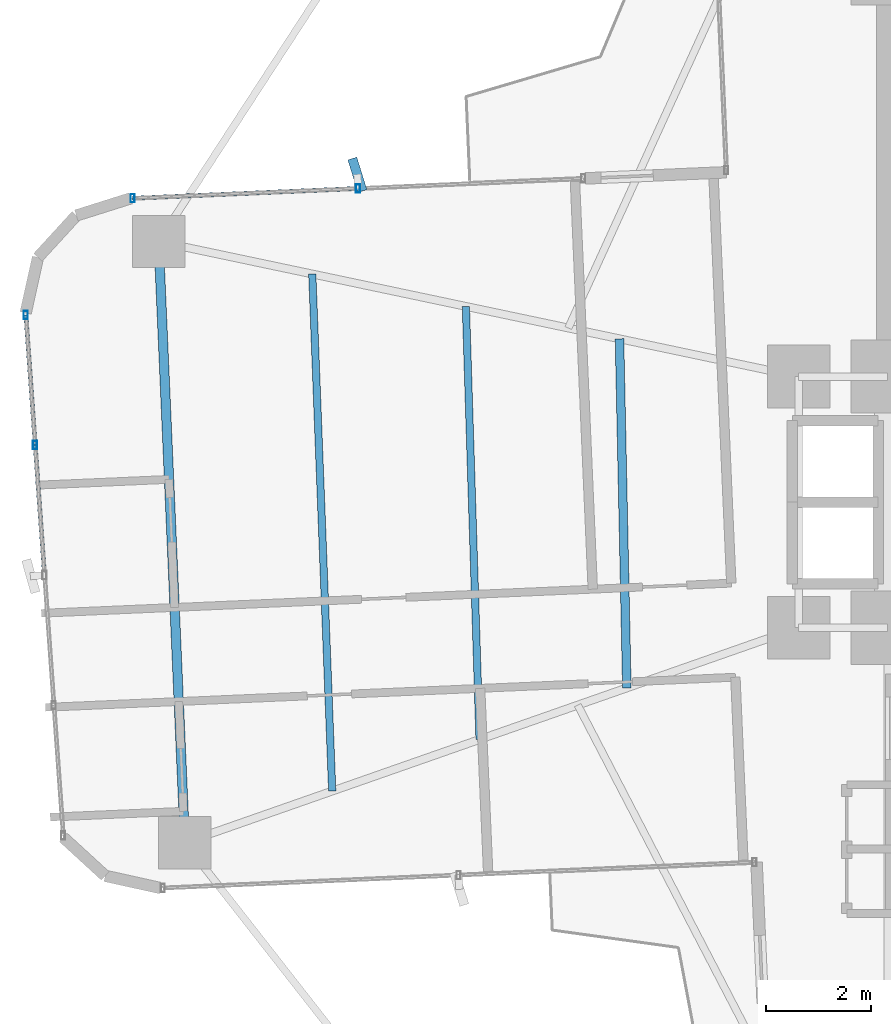
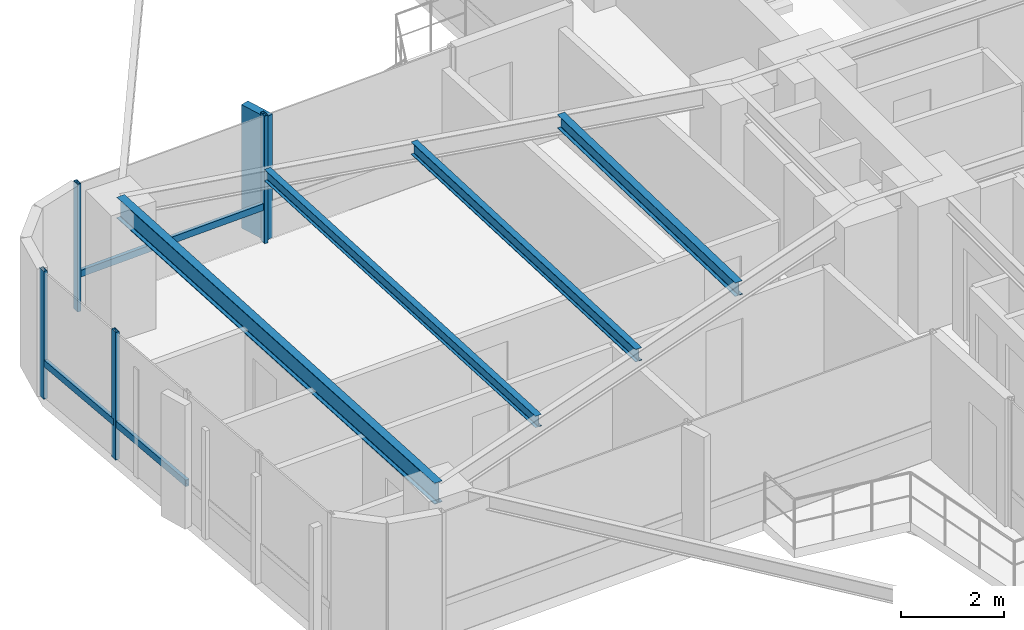
# One storey, part 9 of 26: 8 members, 4 beams, 2 elements without a shape of their own.
"""IFC4 building model written with IfcOpenShell, lengths in metres."""

from ifc_helpers import new_model, si_unit, direction, frame, origin, origin_2d, place, context, subcontext, project, spatial, rectangle, hollow_rectangle, i_section, extrude, source, transform, mapped, material, material_profile, profile_set, type_object, element, aggregate, save


model = new_model("IFC4")

# Units and contexts
model_context = context("Model", 3, precision=1e-05, world=origin(), true_north=direction((0.0, 1.0)))
body_context = subcontext(model_context, "Body", "Model", "MODEL_VIEW")
ifc_project = project(units=[si_unit("LENGTHUNIT", "METRE"), si_unit("AREAUNIT", "SQUARE_METRE"), si_unit("VOLUMEUNIT", "CUBIC_METRE"), si_unit("PLANEANGLEUNIT", "RADIAN"), si_unit("MASSUNIT", "GRAM", prefix="KILO")], contexts=[model_context])

# Site, building, storey
site_placement = place(None, origin())
site = spatial("IfcSite", under=ifc_project, at=site_placement, CompositionType="ELEMENT")
building_placement = place(site_placement, origin())
building = spatial("IfcBuilding", under=site, at=building_placement, Name="Sahyath Konkavel Grand Hotel", CompositionType="ELEMENT")
storey_placement = place(building_placement, frame((0.0, 0.0, 134.89990234375)))
storey = spatial("IfcBuildingStorey", under=building, at=storey_placement, Name="L37", CompositionType="ELEMENT", Elevation=134.89990234375)

# Beams
ifc_material_1 = material(Name="Steel E350", Category="steel")
ifc_material_profile_1 = material_profile(ifc_material_1, i_section(OverallWidth=0.179931640625, OverallDepth=0.5, WebThickness=0.01025390625, FlangeThickness=0.01708984375, FilletRadius=0.01708984375, at=origin_2d()), Name="ISMB 500")
ifc_profile_set_1 = profile_set([ifc_material_profile_1], Name="Steel E350")
beam_type_1 = type_object("IfcBeamType", Name="BM-ISMB500", PredefinedType="BEAM", material=ifc_profile_set_1)
shared_shape_1 = source(origin(), body_context, "Body", "SweptSolid", [
    extrude(i_section(OverallWidth=0.179931640625, OverallDepth=0.5, WebThickness=0.01025390625, FlangeThickness=0.01708984375, FilletRadius=0.01708984375, at=origin_2d()), origin(), (0.0, 0.0, 1.0), 11.5),
])
beam_1_placement = place(storey_placement, frame((-17.734130859375, 4.981201171875, 2.780029296875), z_axis=(0.043627008892, -0.99904788879, 0.0), x_axis=(0.99904788879, 0.043627008892, 0.0)))
element("IfcBeam", 1, at=beam_1_placement, inside=storey, type_object=beam_type_1, Name="L37 Wing Tip Edge Beam W", PredefinedType="BEAM", context=body_context, shape_type="MappedRepresentation", body=[
    mapped(shared_shape_1, transform((0.0, 0.0, 0.0), scale=1.0)),
])
ifc_material_profile_2 = material_profile(ifc_material_1, i_section(OverallWidth=0.1650390625, OverallDepth=0.324951171875, WebThickness=0.007080078125, FlangeThickness=0.009765625, FilletRadius=0.014892578125, at=origin_2d()), Name="ISLB 325")
ifc_profile_set_2 = profile_set([ifc_material_profile_2], Name="Steel E350")
beam_type_2 = type_object("IfcBeamType", Name="BM-ISLB325", PredefinedType="BEAM", material=ifc_profile_set_2)
shared_shape_2 = source(origin(), body_context, "Body", "SweptSolid", [
    extrude(i_section(OverallWidth=0.1650390625, OverallDepth=0.324951171875, WebThickness=0.007080078125, FlangeThickness=0.009765625, FilletRadius=0.014892578125, at=origin_2d()), origin(), (0.0, 0.0, 1.0), 6.674560546875),
])
beam_2_placement = place(storey_placement, frame((-8.925537109375, 3.122802734375, 2.86767578125), z_axis=(0.021032188543, -0.999778799058, 0.0), x_axis=(0.999778799058, 0.021032188543, 0.0)))
element("IfcBeam", 2, at=beam_2_placement, inside=storey, type_object=beam_type_2, Name="L37 Secondary Floor Beam W-1", PredefinedType="BEAM", context=body_context, shape_type="MappedRepresentation", body=[
    mapped(shared_shape_2, transform((0.0, 0.0, 0.0), scale=1.0)),
])
ifc_material_profile_3 = material_profile(ifc_material_1, i_section(OverallWidth=0.139892578125, OverallDepth=0.300048828125, WebThickness=0.0078125, FlangeThickness=0.01318359375, FilletRadius=0.013916015625, at=origin_2d()), Name="ISMB 300")
ifc_profile_set_3 = profile_set([ifc_material_profile_3], Name="Steel E350")
beam_type_3 = type_object("IfcBeamType", Name="BM-ISMB300", PredefinedType="BEAM", material=ifc_profile_set_3)
shared_shape_3 = source(origin(), body_context, "Body", "SweptSolid", [
    extrude(i_section(OverallWidth=0.139892578125, OverallDepth=0.300048828125, WebThickness=0.0078125, FlangeThickness=0.01318359375, FilletRadius=0.013916015625, at=origin_2d()), origin(), (0.0, 0.0, 1.0), 8.282470703125),
])
beam_3_placement = place(storey_placement, frame((-11.86181640625, 3.7421875, 2.880126953125), z_axis=(0.031510827707, -0.999503410568, 0.0), x_axis=(0.999503410568, 0.031510827707, 0.0)))
element("IfcBeam", 3, at=beam_3_placement, inside=storey, type_object=beam_type_3, Name="L37 Secondary Floor Beam W-2", PredefinedType="BEAM", context=body_context, shape_type="MappedRepresentation", body=[
    mapped(shared_shape_3, transform((0.0, 0.0, 0.0), scale=1.0)),
])
ifc_material_profile_4 = material_profile(ifc_material_1, i_section(OverallWidth=0.139892578125, OverallDepth=0.27490234375, WebThickness=0.00634765625, FlangeThickness=0.0087890625, FilletRadius=0.012939453125, at=origin_2d()), Name="ISLB 275")
ifc_profile_set_4 = profile_set([ifc_material_profile_4], Name="Steel E350")
beam_type_4 = type_object("IfcBeamType", Name="BM-ISLB275", PredefinedType="BEAM", material=ifc_profile_set_4)
shared_shape_4 = source(origin(), body_context, "Body", "SweptSolid", [
    extrude(i_section(OverallWidth=0.139892578125, OverallDepth=0.27490234375, WebThickness=0.00634765625, FlangeThickness=0.0087890625, FilletRadius=0.012939453125, at=origin_2d()), origin(), (0.0, 0.0, 1.0), 9.89111328125),
])
beam_4_placement = place(storey_placement, frame((-14.798095703125, 4.36181640625, 2.892578125), z_axis=(0.03855445741, -0.999256500511, 0.0), x_axis=(0.999256500511, 0.03855445741, 0.0)))
element("IfcBeam", 4, at=beam_4_placement, inside=storey, type_object=beam_type_4, Name="L37 Secondary Floor Beam W-3", PredefinedType="BEAM", context=body_context, shape_type="MappedRepresentation", body=[
    mapped(shared_shape_4, transform((0.0, 0.0, 0.0), scale=1.0)),
])

# Curtain wall, members
ifc_material_2 = material(Name="Anodised Bronze Aluminium & Low-E Glazing", Category="aluminium")
curtain_wall_type = type_object("IfcCurtainWallType", Name="CW-ZONE2", PredefinedType="NOTDEFINED", material=ifc_material_2)
curtain_wall_1_placement = place(storey_placement, origin())
curtain_wall_1 = element("IfcCurtainWall", 5, at=curtain_wall_1_placement, inside=storey, type_object=curtain_wall_type, Name="L37 Unitised Curtain Wall F16", PredefinedType="NOTDEFINED")
ifc_material_3 = material(Name="Anodised Bronze Aluminium", Category="aluminium")
ifc_material_profile_5 = material_profile(ifc_material_3, hollow_rectangle(XDim=0.080078125, YDim=0.159912109375, WallThickness=0.006103515625, at=origin_2d()), Name="RHS 160x80x6")
ifc_profile_set_5 = profile_set([ifc_material_profile_5], Name="Anodised Bronze Aluminium")
member_type_1 = type_object("IfcMemberType", Name="CW-MUL-160", PredefinedType="MULLION", material=ifc_profile_set_5)
shared_shape_5 = source(origin(), body_context, "Body", "SweptSolid", [
    extrude(hollow_rectangle(XDim=0.080078125, YDim=0.159912109375, WallThickness=0.006103515625, at=origin_2d()), origin(), (0.0, 0.0, 1.0), 3.030029296875),
])
member_1_placement = place(storey_placement, frame((-13.9248046875, 5.998291015625, 0.0), z_axis=(0.0, 0.0, 1.0), x_axis=(1.0, 0.0, 0.0)))
member_1 = element("IfcMember", 6, at=member_1_placement, type_object=member_type_1, Name="L37 Curtain Wall Mullion F16-1", PredefinedType="MULLION", context=body_context, shape_type="MappedRepresentation", body=[
    mapped(shared_shape_5, transform((0.0, 0.0, 0.0), scale=1.0)),
])
member_2_placement = place(storey_placement, frame((-18.230712890625, 5.810302734375, 0.0), z_axis=(0.0, 0.0, 1.0), x_axis=(1.0, 0.0, 0.0)))
member_2 = element("IfcMember", 7, at=member_2_placement, type_object=member_type_1, Name="L37 Curtain Wall Mullion F16-2", PredefinedType="MULLION", context=body_context, shape_type="MappedRepresentation", body=[
    mapped(shared_shape_5, transform((0.0, 0.0, 0.0), scale=1.0)),
])

curtain_wall_2_placement = place(storey_placement, origin())
curtain_wall_2 = element("IfcCurtainWall", 8, at=curtain_wall_2_placement, inside=storey, type_object=curtain_wall_type, Name="L37 Unitised Curtain Wall F20", PredefinedType="NOTDEFINED")
member_3_placement = place(storey_placement, frame((-20.2744140625, 3.5791015625, 0.0), z_axis=(0.0, 0.0, 1.0), x_axis=(1.0, 0.0, 0.0)))
member_3 = element("IfcMember", 9, at=member_3_placement, type_object=member_type_1, Name="L37 Curtain Wall Mullion F20-0", PredefinedType="MULLION", context=body_context, shape_type="MappedRepresentation", body=[
    mapped(shared_shape_5, transform((0.0, 0.0, 0.0), scale=1.0)),
])
member_4_placement = place(storey_placement, frame((-20.095947265625, 1.092041015625, 0.0), z_axis=(0.0, 0.0, 1.0), x_axis=(1.0, 0.0, 0.0)))
member_4 = element("IfcMember", 10, at=member_4_placement, type_object=member_type_1, Name="L37 Curtain Wall Mullion F20-1", PredefinedType="MULLION", context=body_context, shape_type="MappedRepresentation", body=[
    mapped(shared_shape_5, transform((0.0, 0.0, 0.0), scale=1.0)),
])

# Member
ifc_material_4 = material(Name="Warm Buff Sandstone Cladding on Concrete C50/60", Category="masonry")
ifc_material_profile_6 = material_profile(ifc_material_4, rectangle(XDim=0.179931640625, YDim=0.64990234375, at=origin_2d()), Name="FIN 180x650")
ifc_profile_set_6 = profile_set([ifc_material_profile_6], Name="Warm Buff Sandstone Cladding on Concrete C50/60")
member_type_2 = type_object("IfcMemberType", Name="FIN-SANDSTONE-650", PredefinedType="MULLION", material=ifc_profile_set_6)
shared_shape_6 = source(origin(), body_context, "Body", "SweptSolid", [
    extrude(rectangle(XDim=0.179931640625, YDim=0.64990234375, at=origin_2d()), origin(), (0.0, 0.0, 1.0), 2.929931640625),
])
member_5_placement = place(storey_placement, frame((-13.936279296875, 6.258056640625, 0.050048828125), z_axis=(0.0, 0.0, 1.0), x_axis=(0.954812686667, 0.297208232354, 0.0)))
member_5 = element("IfcMember", 11, at=member_5_placement, type_object=member_type_2, Name="L37 Sandstone Vertical Solar Fin FIN F16-1", PredefinedType="MULLION", context=body_context, shape_type="MappedRepresentation", body=[
    mapped(shared_shape_6, transform((0.0, 0.0, 0.0), scale=1.0)),
])

ifc_material_profile_7 = material_profile(ifc_material_3, hollow_rectangle(XDim=0.080078125, YDim=0.159912109375, WallThickness=0.006103515625, at=origin_2d()), Name="RHS 160x80x6")
ifc_profile_set_7 = profile_set([ifc_material_profile_7], Name="Anodised Bronze Aluminium")
member_type_3 = type_object("IfcMemberType", Name="CW-TRN-160", PredefinedType="USERDEFINED", material=ifc_profile_set_7)
shared_shape_7 = source(origin(), body_context, "Body", "SweptSolid", [
    extrude(hollow_rectangle(XDim=0.080078125, YDim=0.159912109375, WallThickness=0.006103515625, at=origin_2d()), origin(), (0.0, 0.0, 1.0), 4.31005859375),
])
member_6_placement = place(storey_placement, frame((-13.9248046875, 5.998291015625, 0.85009765625), z_axis=(-0.999048340188, -0.043616670746, 0.0), x_axis=(0.043616670746, -0.999048340188, 0.0)))
member_6 = element("IfcMember", 12, at=member_6_placement, type_object=member_type_3, Name="L37 Curtain Wall Transom F16-1-spandrel", ObjectType="TRANSOM", PredefinedType="USERDEFINED", context=body_context, shape_type="MappedRepresentation", body=[
    mapped(shared_shape_7, transform((0.0, 0.0, 0.0), scale=1.0)),
])

aggregate(curtain_wall_1, [member_1, member_5, member_2, member_6])

shared_shape_8 = source(origin(), body_context, "Body", "SweptSolid", [
    extrude(hollow_rectangle(XDim=0.080078125, YDim=0.159912109375, WallThickness=0.006103515625, at=origin_2d()), origin(), (0.0, 0.0, 1.0), 2.493408203125),
])
member_7_placement = place(storey_placement, frame((-20.2744140625, 3.5791015625, 0.85009765625), z_axis=(0.071574084062, -0.997435286367, 0.0), x_axis=(0.997435286367, 0.071574084062, 0.0)))
member_7 = element("IfcMember", 13, at=member_7_placement, type_object=member_type_3, Name="L37 Curtain Wall Transom F20-0-spandrel", ObjectType="TRANSOM", PredefinedType="USERDEFINED", context=body_context, shape_type="MappedRepresentation", body=[
    mapped(shared_shape_8, transform((0.0, 0.0, 0.0), scale=1.0)),
])

member_8_placement = place(storey_placement, frame((-20.095947265625, 1.092041015625, 0.85009765625), z_axis=(0.071574084062, -0.997435286367, 0.0), x_axis=(0.997435286367, 0.071574084062, 0.0)))
member_8 = element("IfcMember", 14, at=member_8_placement, type_object=member_type_3, Name="L37 Curtain Wall Transom F20-1-spandrel", ObjectType="TRANSOM", PredefinedType="USERDEFINED", context=body_context, shape_type="MappedRepresentation", body=[
    mapped(shared_shape_8, transform((0.0, 0.0, 0.0), scale=1.0)),
])

aggregate(curtain_wall_2, [member_3, member_4, member_7, member_8])

save(model, "model.ifc")
